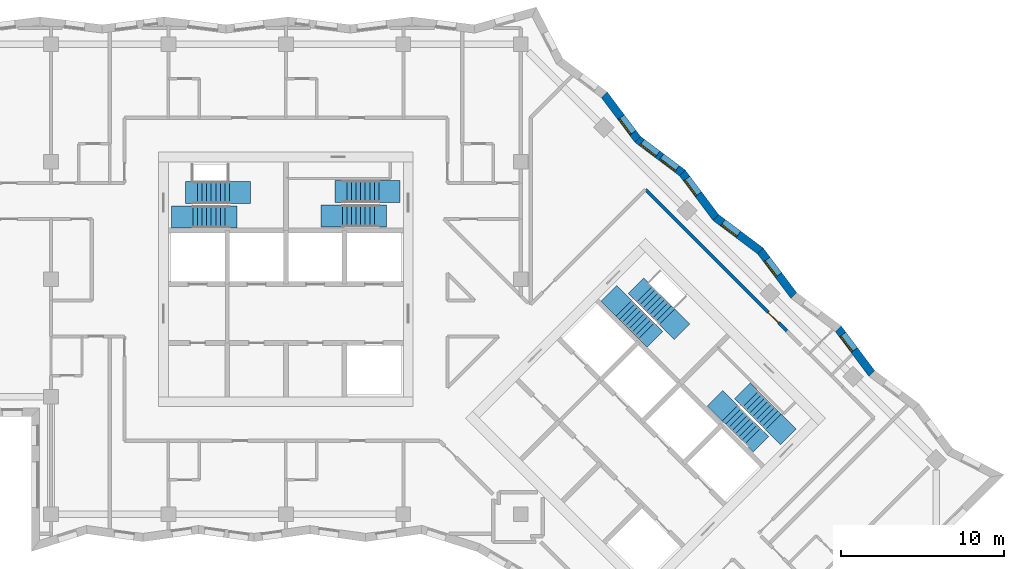
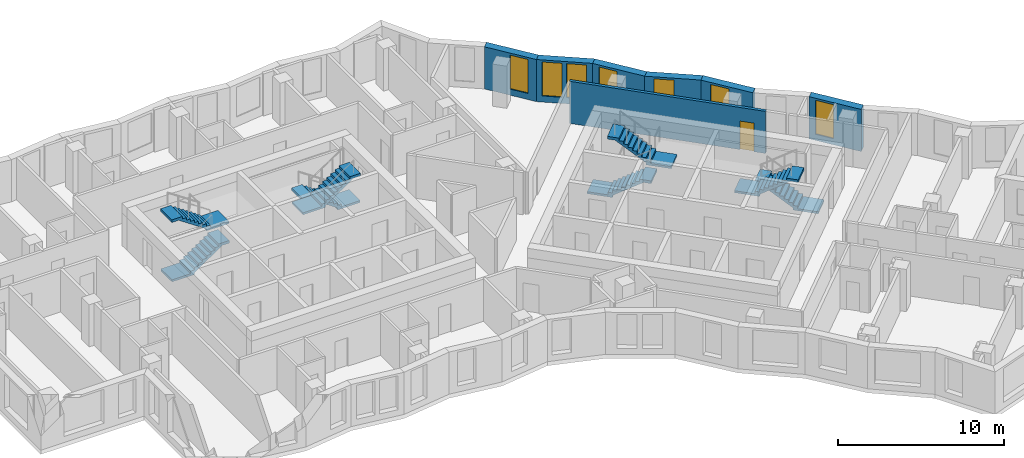
# One storey, part 10 of 12: 8 stair flights, 7 walls, 7 windows, 1 door, 8 openings, 4 elements without a shape of their own.
"""IFC4 building model written with IfcOpenShell, lengths in metres."""

from ifc_helpers import new_model, si_unit, direction, frame, frame_2d, origin, place, context, subcontext, project, spatial, polyline, rectangle, outline, extrude, material, layer, layer_set, type_object, element, fill, aggregate, save


model = new_model("IFC4")

# Units and contexts
model_context = context("Model", 3, precision=1e-05, world=origin(), true_north=direction((0.0, 1.0)))
body_context = subcontext(model_context, "Body", "Model", "MODEL_VIEW")
ifc_project = project(units=[si_unit("LENGTHUNIT", "METRE"), si_unit("AREAUNIT", "SQUARE_METRE"), si_unit("VOLUMEUNIT", "CUBIC_METRE"), si_unit("PLANEANGLEUNIT", "RADIAN"), si_unit("MASSUNIT", "GRAM", prefix="KILO")], contexts=[model_context])

# Site, building, storey
site_placement = place(None, origin())
site = spatial("IfcSite", under=ifc_project, at=site_placement, CompositionType="ELEMENT")
building_placement = place(site_placement, origin())
building = spatial("IfcBuilding", under=site, at=building_placement, Name="Windrow Commons", CompositionType="ELEMENT")
storey_placement = place(building_placement, frame((0.0, 0.0, 155.8)))
storey = spatial("IfcBuildingStorey", under=building, at=storey_placement, Name="L42", CompositionType="ELEMENT", Elevation=155.8)

# Wall, opening, window
ifc_material_1 = material(Name="Brick masonry, red clay brick", Category="masonry")
ifc_layer_1 = layer(ifc_material_1, 0.5)
ifc_layer_set_1 = layer_set([ifc_layer_1], Name="Brick facade wall 500")
wall_type_1 = type_object("IfcWallType", Name="Brick facade wall 500", PredefinedType="SOLIDWALL", material=ifc_layer_set_1)
wall_1_placement = place(storey_placement, frame((100.704, 51.836, 0.0), z_axis=(0.0, 0.0, 1.0), x_axis=(-0.600150005, 0.7998874743, 0.0)))
wall_1 = element("IfcWall", 1, at=wall_1_placement, inside=storey, type_object=wall_type_1, Name="Brick facade wall L42 10", PredefinedType="SOLIDWALL", context=body_context, shape_type="SweptSolid", body=[
    extrude(outline(polyline([(0.0357, -0.25), (3.4486, -0.25), (3.3773, 0.25), (-0.0357, 0.25), (0.0357, -0.25)])), origin(), (0.0, 0.0, 1.0), 3.1),
])
opening_1_placement = place(wall_1_placement, frame((1.7739, 0.0, 0.45)))
opening_1 = element("IfcOpeningElement", 2, at=opening_1_placement, cuts=wall_1, Name="Opening W7E", PredefinedType="OPENING", context=body_context, shape_type="SweptSolid", body=[
    extrude(rectangle(XDim=1.2, YDim=2.5, at=frame_2d((0.6, 1.25))), frame((0.0, 0.26, 0.0), z_axis=(0.0, -1.0, 0.0), x_axis=(1.0, 0.0, 0.0)), (0.0, 0.0, 1.0), 0.52),
])
ifc_material_2 = material(Name="Clear float glass in anodised aluminium frame", Category="aluminium")
window_type = type_object("IfcWindowType", Name="Window W7 notch 1200x2500", PartitioningType="SINGLE_PANEL", PredefinedType="WINDOW", material=ifc_material_2)
window_1_placement = place(opening_1_placement, origin())
window_1 = element("IfcWindow", 3, at=window_1_placement, inside=storey, type_object=window_type, Name="Window L42 10.1", OverallHeight=2.5, OverallWidth=1.2, PartitioningType="SINGLE_PANEL", PredefinedType="WINDOW", context=body_context, shape_type="SweptSolid", body=[
    extrude(rectangle(XDim=1.2, YDim=2.5, at=frame_2d((0.6, 1.25))), frame((0.0, 0.18, 0.0), z_axis=(0.0, -1.0, 0.0), x_axis=(1.0, 0.0, 0.0)), (0.0, 0.0, 1.0), 0.06),
])
fill(opening_1, window_1)

wall_2_placement = place(storey_placement, frame((95.9257, 56.6143, 0.0), z_axis=(0.0, 0.0, 1.0), x_axis=(-0.600150005, 0.7998874743, 0.0)))
wall_2 = element("IfcWall", 4, at=wall_2_placement, inside=storey, type_object=wall_type_1, Name="Brick facade wall L42 12", PredefinedType="SOLIDWALL", context=body_context, shape_type="SweptSolid", body=[
    extrude(outline(polyline([(0.0357, -0.25), (3.4486, -0.25), (3.3773, 0.25), (-0.0357, 0.25), (0.0357, -0.25)])), origin(), (0.0, 0.0, 1.0), 3.1),
])
opening_2_placement = place(wall_2_placement, frame((1.5474, 0.0, 0.45)))
opening_2 = element("IfcOpeningElement", 5, at=opening_2_placement, cuts=wall_2, Name="Opening W7E", PredefinedType="OPENING", context=body_context, shape_type="SweptSolid", body=[
    extrude(rectangle(XDim=1.2, YDim=2.5, at=frame_2d((0.6, 1.25))), frame((0.0, 0.26, 0.0), z_axis=(0.0, -1.0, 0.0), x_axis=(1.0, 0.0, 0.0)), (0.0, 0.0, 1.0), 0.52),
])
window_2_placement = place(opening_2_placement, origin())
window_2 = element("IfcWindow", 6, at=window_2_placement, inside=storey, type_object=window_type, Name="Window L42 12.1", OverallHeight=2.5, OverallWidth=1.2, PartitioningType="SINGLE_PANEL", PredefinedType="WINDOW", context=body_context, shape_type="SweptSolid", body=[
    extrude(rectangle(XDim=1.2, YDim=2.5, at=frame_2d((0.6, 1.25))), frame((0.0, 0.18, 0.0), z_axis=(0.0, -1.0, 0.0), x_axis=(1.0, 0.0, 0.0)), (0.0, 0.0, 1.0), 0.06),
])
fill(opening_2, window_2)

wall_3_placement = place(storey_placement, frame((93.8774, 59.3443, 0.0), z_axis=(0.0, 0.0, 1.0), x_axis=(-0.7998874743, 0.600150005, 0.0)))
wall_3 = element("IfcWall", 7, at=wall_3_placement, inside=storey, type_object=wall_type_1, Name="Brick facade wall L42 13", PredefinedType="SOLIDWALL", context=body_context, shape_type="SweptSolid", body=[
    extrude(outline(polyline([(-0.0357, -0.25), (3.3773, -0.25), (3.4486, 0.25), (0.0357, 0.25), (-0.0357, -0.25)])), origin(), (0.0, 0.0, 1.0), 3.1),
])
opening_3_placement = place(wall_3_placement, frame((1.6769, 0.0, 0.45)))
opening_3 = element("IfcOpeningElement", 8, at=opening_3_placement, cuts=wall_3, Name="Opening W7E", PredefinedType="OPENING", context=body_context, shape_type="SweptSolid", body=[
    extrude(rectangle(XDim=1.2, YDim=2.5, at=frame_2d((0.6, 1.25))), frame((0.0, 0.26, 0.0), z_axis=(0.0, -1.0, 0.0), x_axis=(1.0, 0.0, 0.0)), (0.0, 0.0, 1.0), 0.52),
])
window_3_placement = place(opening_3_placement, origin())
window_3 = element("IfcWindow", 9, at=window_3_placement, inside=storey, type_object=window_type, Name="Window L42 13.1", OverallHeight=2.5, OverallWidth=1.2, PartitioningType="SINGLE_PANEL", PredefinedType="WINDOW", context=body_context, shape_type="SweptSolid", body=[
    extrude(rectangle(XDim=1.2, YDim=2.5, at=frame_2d((0.6, 1.25))), frame((0.0, 0.18, 0.0), z_axis=(0.0, -1.0, 0.0), x_axis=(1.0, 0.0, 0.0)), (0.0, 0.0, 1.0), 0.06),
])
fill(opening_3, window_3)

wall_4_placement = place(storey_placement, frame((91.1474, 61.3926, 0.0), z_axis=(0.0, 0.0, 1.0), x_axis=(-0.600150005, 0.7998874743, 0.0)))
wall_4 = element("IfcWall", 10, at=wall_4_placement, inside=storey, type_object=wall_type_1, Name="Brick facade wall L42 14", PredefinedType="SOLIDWALL", context=body_context, shape_type="SweptSolid", body=[
    extrude(outline(polyline([(0.0357, -0.25), (3.4486, -0.25), (3.3773, 0.25), (-0.0357, 0.25), (0.0357, -0.25)])), origin(), (0.0, 0.0, 1.0), 3.1),
])
opening_4_placement = place(wall_4_placement, frame((1.7708, 0.0, 0.45)))
opening_4 = element("IfcOpeningElement", 11, at=opening_4_placement, cuts=wall_4, Name="Opening W7E", PredefinedType="OPENING", context=body_context, shape_type="SweptSolid", body=[
    extrude(rectangle(XDim=1.2, YDim=2.5, at=frame_2d((0.6, 1.25))), frame((0.0, 0.26, 0.0), z_axis=(0.0, -1.0, 0.0), x_axis=(1.0, 0.0, 0.0)), (0.0, 0.0, 1.0), 0.52),
])
window_4_placement = place(opening_4_placement, origin())
window_4 = element("IfcWindow", 12, at=window_4_placement, inside=storey, type_object=window_type, Name="Window L42 14.1", OverallHeight=2.5, OverallWidth=1.2, PartitioningType="SINGLE_PANEL", PredefinedType="WINDOW", context=body_context, shape_type="SweptSolid", body=[
    extrude(rectangle(XDim=1.2, YDim=2.5, at=frame_2d((0.6, 1.25))), frame((0.0, 0.18, 0.0), z_axis=(0.0, -1.0, 0.0), x_axis=(1.0, 0.0, 0.0)), (0.0, 0.0, 1.0), 0.06),
])
fill(opening_4, window_4)

# Wall, openings, windows
wall_5_placement = place(storey_placement, frame((89.0991, 64.1226, 0.0), z_axis=(0.0, 0.0, 1.0), x_axis=(-0.7998874743, 0.600150005, 0.0)))
wall_5 = element("IfcWall", 13, at=wall_5_placement, inside=storey, type_object=wall_type_1, Name="Brick facade wall L42 15", PredefinedType="SOLIDWALL", context=body_context, shape_type="SweptSolid", body=[
    extrude(outline(polyline([(-0.0357, -0.25), (3.3773, -0.25), (3.4486, 0.25), (0.0357, 0.25), (-0.0357, -0.25)])), origin(), (0.0, 0.0, 1.0), 3.1),
])
opening_5_placement = place(wall_5_placement, frame((0.4117, 0.0, 0.45)))
opening_5 = element("IfcOpeningElement", 14, at=opening_5_placement, cuts=wall_5, Name="Opening W7E", PredefinedType="OPENING", context=body_context, shape_type="SweptSolid", body=[
    extrude(rectangle(XDim=1.2, YDim=2.5, at=frame_2d((0.6, 1.25))), frame((0.0, 0.26, 0.0), z_axis=(0.0, -1.0, 0.0), x_axis=(1.0, 0.0, 0.0)), (0.0, 0.0, 1.0), 0.52),
])
opening_6_placement = place(wall_5_placement, frame((1.9004, 0.0, 0.45)))
opening_6 = element("IfcOpeningElement", 15, at=opening_6_placement, cuts=wall_5, Name="Opening W7E", PredefinedType="OPENING", context=body_context, shape_type="SweptSolid", body=[
    extrude(rectangle(XDim=1.2, YDim=2.5, at=frame_2d((0.6, 1.25))), frame((0.0, 0.26, 0.0), z_axis=(0.0, -1.0, 0.0), x_axis=(1.0, 0.0, 0.0)), (0.0, 0.0, 1.0), 0.52),
])
window_5_placement = place(opening_5_placement, origin())
window_5 = element("IfcWindow", 16, at=window_5_placement, inside=storey, type_object=window_type, Name="Window L42 15.1", OverallHeight=2.5, OverallWidth=1.2, PartitioningType="SINGLE_PANEL", PredefinedType="WINDOW", context=body_context, shape_type="SweptSolid", body=[
    extrude(rectangle(XDim=1.2, YDim=2.5, at=frame_2d((0.6, 1.25))), frame((0.0, 0.18, 0.0), z_axis=(0.0, -1.0, 0.0), x_axis=(1.0, 0.0, 0.0)), (0.0, 0.0, 1.0), 0.06),
])
fill(opening_5, window_5)
window_6_placement = place(opening_6_placement, origin())
window_6 = element("IfcWindow", 17, at=window_6_placement, inside=storey, type_object=window_type, Name="Window L42 15.2", OverallHeight=2.5, OverallWidth=1.2, PartitioningType="SINGLE_PANEL", PredefinedType="WINDOW", context=body_context, shape_type="SweptSolid", body=[
    extrude(rectangle(XDim=1.2, YDim=2.5, at=frame_2d((0.6, 1.25))), frame((0.0, 0.18, 0.0), z_axis=(0.0, -1.0, 0.0), x_axis=(1.0, 0.0, 0.0)), (0.0, 0.0, 1.0), 0.06),
])
fill(opening_6, window_6)

# Wall, opening, window
wall_6_placement = place(storey_placement, frame((86.3691, 66.1709, 0.0), z_axis=(0.0, 0.0, 1.0), x_axis=(-0.600150005, 0.7998874743, 0.0)))
wall_6 = element("IfcWall", 18, at=wall_6_placement, inside=storey, type_object=wall_type_1, Name="Brick facade wall L42 16", PredefinedType="SOLIDWALL", context=body_context, shape_type="SweptSolid", body=[
    extrude(outline(polyline([(0.0357, -0.25), (3.4486, -0.25), (3.3773, 0.25), (-0.0357, 0.25), (0.0357, -0.25)])), origin(), (0.0, 0.0, 1.0), 3.1),
])
opening_7_placement = place(wall_6_placement, frame((0.5056, 0.0, 0.45)))
opening_7 = element("IfcOpeningElement", 19, at=opening_7_placement, cuts=wall_6, Name="Opening W7E", PredefinedType="OPENING", context=body_context, shape_type="SweptSolid", body=[
    extrude(rectangle(XDim=1.2, YDim=2.5, at=frame_2d((0.6, 1.25))), frame((0.0, 0.26, 0.0), z_axis=(0.0, -1.0, 0.0), x_axis=(1.0, 0.0, 0.0)), (0.0, 0.0, 1.0), 0.52),
])
window_7_placement = place(opening_7_placement, origin())
window_7 = element("IfcWindow", 20, at=window_7_placement, inside=storey, type_object=window_type, Name="Window L42 16.1", OverallHeight=2.5, OverallWidth=1.2, PartitioningType="SINGLE_PANEL", PredefinedType="WINDOW", context=body_context, shape_type="SweptSolid", body=[
    extrude(rectangle(XDim=1.2, YDim=2.5, at=frame_2d((0.6, 1.25))), frame((0.0, 0.18, 0.0), z_axis=(0.0, -1.0, 0.0), x_axis=(1.0, 0.0, 0.0)), (0.0, 0.0, 1.0), 0.06),
])
fill(opening_7, window_7)

# Wall, opening, door
ifc_material_3 = material(Name="Blockwork partition", Category="masonry")
ifc_layer_2 = layer(ifc_material_3, 0.2)
ifc_layer_set_2 = layer_set([ifc_layer_2], Name="IW-CORRIDOR-200")
wall_type_2 = type_object("IfcWallType", Name="IW-CORRIDOR-200", PredefinedType="PARTITIONING", material=ifc_layer_set_2)
wall_7_placement = place(storey_placement, frame((86.8415, 63.0935, 0.0), z_axis=(0.0, 0.0, 1.0), x_axis=(0.7071067812, -0.7071067812, 0.0)))
wall_7 = element("IfcWall", 21, at=wall_7_placement, inside=storey, type_object=wall_type_2, Name="W-L42-W006", PredefinedType="PARTITIONING", context=body_context, shape_type="SweptSolid", body=[
    extrude(rectangle(XDim=12.2386, YDim=0.2, at=frame_2d((6.1193, 0.0))), origin(), (0.0, 0.0, 1.0), 3.1),
])
opening_8_placement = place(wall_7_placement, frame((10.6338, 0.0, 0.0)))
opening_8 = element("IfcOpeningElement", 22, at=opening_8_placement, cuts=wall_7, Name="Opening D109F", PredefinedType="OPENING", context=body_context, shape_type="SweptSolid", body=[
    extrude(rectangle(XDim=0.9, YDim=2.1, at=frame_2d((0.45, 1.05))), frame((0.0, 0.11, 0.0), z_axis=(0.0, -1.0, 0.0), x_axis=(1.0, 0.0, 0.0)), (0.0, 0.0, 1.0), 0.22),
])
ifc_material_4 = material(Name="Timber door leaf", Category="wood")
door_type = type_object("IfcDoorType", Name="DT-BEDROOM-900", OperationType="SINGLE_SWING_LEFT", PredefinedType="DOOR", material=ifc_material_4)
door_placement = place(opening_8_placement, origin())
door = element("IfcDoor", 23, at=door_placement, inside=storey, type_object=door_type, Name="D-L42-D044", OperationType="SINGLE_SWING_LEFT", OverallHeight=2.1, OverallWidth=0.9, PredefinedType="DOOR", context=body_context, shape_type="SweptSolid", body=[
    extrude(rectangle(XDim=0.9, YDim=2.1, at=frame_2d((0.45, 1.05))), frame((0.0, 0.025, 0.0), z_axis=(0.0, -1.0, 0.0), x_axis=(1.0, 0.0, 0.0)), (0.0, 0.0, 1.0), 0.05),
])
fill(opening_8, door)

# Stair, stair flights
ifc_material_5 = material(Name="Concrete C40/50", Category="concrete")
stair_type = type_object("IfcStairType", Name="Core stair", PredefinedType="HALF_TURN_STAIR", material=ifc_material_5)
placement = place(storey_placement, origin())
stair_1 = element("IfcStair", 24, at=placement, inside=storey, type_object=stair_type, Name="L42 Exit stair A1 core A", PredefinedType="HALF_TURN_STAIR")
ifc_material_6 = material(Name="Concrete C40/50", Category="concrete")
stair_flight_type = type_object("IfcStairFlightType", Name="Core stair flight", PredefinedType="STRAIGHT", material=ifc_material_6)
stair_flight_1_placement = place(storey_placement, frame((59.1, 61.425, 0.0), z_axis=(0.0, 0.0, 1.0), x_axis=(1.0, 0.0, 0.0)))
stair_flight_1 = element("IfcStairFlight", 25, at=stair_flight_1_placement, type_object=stair_flight_type, Name="ST-A1 flight 1", NumberOfRisers=9, NumberOfTreads=8, PredefinedType="STRAIGHT", RiserHeight=0.188888889, TreadLength=0.28, context=body_context, shape_type="SweptSolid", body=[
    extrude(outline(polyline([(-1.3, -0.15), (-1.3, 0.0), (0.0, 0.0), (0.0, 0.1889), (0.28, 0.1889), (0.28, 0.3778), (0.56, 0.3778), (0.56, 0.5667), (0.84, 0.5667), (0.84, 0.7556), (1.12, 0.7556), (1.12, 0.9444), (1.4, 0.9444), (1.4, 1.1333), (1.68, 1.1333), (1.68, 1.3222), (1.96, 1.3222), (1.96, 1.5111), (2.24, 1.5111), (2.69, 1.5111), (2.69, 1.3111), (2.24, 1.3111), (2.24, 1.3302), (0.2682, 0.0), (0.2682, -0.15), (-1.3, -0.15)])), frame((0.0, 0.675, 0.0), z_axis=(0.0, -1.0, 0.0), x_axis=(1.0, 0.0, 0.0)), (0.0, 0.0, 1.0), 1.35),
])
stair_flight_2_placement = place(storey_placement, frame((61.34, 62.925, 1.7), z_axis=(0.0, 0.0, 1.0), x_axis=(-1.0, 0.0, 0.0)))
stair_flight_2 = element("IfcStairFlight", 26, at=stair_flight_2_placement, type_object=stair_flight_type, Name="ST-A1 flight 2", NumberOfRisers=9, NumberOfTreads=8, PredefinedType="STRAIGHT", RiserHeight=0.188888889, TreadLength=0.28, context=body_context, shape_type="SweptSolid", body=[
    extrude(outline(polyline([(-1.3, -0.15), (-1.3, 0.0), (0.0, 0.0), (0.0, 0.1889), (0.28, 0.1889), (0.28, 0.3778), (0.56, 0.3778), (0.56, 0.5667), (0.84, 0.5667), (0.84, 0.7556), (1.12, 0.7556), (1.12, 0.9444), (1.4, 0.9444), (1.4, 1.1333), (1.68, 1.1333), (1.68, 1.3222), (1.96, 1.3222), (1.96, 1.5111), (2.24, 1.5111), (2.69, 1.5111), (2.69, 1.3111), (2.24, 1.3111), (2.24, 1.3302), (0.2682, 0.0), (0.2682, -0.15), (-1.3, -0.15)])), frame((0.0, 0.675, 0.0), z_axis=(0.0, -1.0, 0.0), x_axis=(1.0, 0.0, 0.0)), (0.0, 0.0, 1.0), 1.35),
])
aggregate(stair_1, [stair_flight_1, stair_flight_2])

stair_2 = element("IfcStair", 27, at=placement, inside=storey, type_object=stair_type, Name="L42 Exit stair A2 core A", PredefinedType="HALF_TURN_STAIR")
stair_flight_3_placement = place(storey_placement, frame((70.5, 62.98, 0.0), z_axis=(0.0, 0.0, 1.0), x_axis=(-1.0, 0.0, 0.0)))
stair_flight_3 = element("IfcStairFlight", 28, at=stair_flight_3_placement, type_object=stair_flight_type, Name="ST-A2 flight 1", NumberOfRisers=9, NumberOfTreads=8, PredefinedType="STRAIGHT", RiserHeight=0.188888889, TreadLength=0.28, context=body_context, shape_type="SweptSolid", body=[
    extrude(outline(polyline([(-1.3, -0.15), (-1.3, 0.0), (0.0, 0.0), (0.0, 0.1889), (0.28, 0.1889), (0.28, 0.3778), (0.56, 0.3778), (0.56, 0.5667), (0.84, 0.5667), (0.84, 0.7556), (1.12, 0.7556), (1.12, 0.9444), (1.4, 0.9444), (1.4, 1.1333), (1.68, 1.1333), (1.68, 1.3222), (1.96, 1.3222), (1.96, 1.5111), (2.24, 1.5111), (2.69, 1.5111), (2.69, 1.3111), (2.24, 1.3111), (2.24, 1.3302), (0.2682, 0.0), (0.2682, -0.15), (-1.3, -0.15)])), frame((0.0, 0.675, 0.0), z_axis=(0.0, -1.0, 0.0), x_axis=(1.0, 0.0, 0.0)), (0.0, 0.0, 1.0), 1.35),
])
stair_flight_4_placement = place(storey_placement, frame((68.26, 61.48, 1.7), z_axis=(0.0, 0.0, 1.0), x_axis=(1.0, 0.0, 0.0)))
stair_flight_4 = element("IfcStairFlight", 29, at=stair_flight_4_placement, type_object=stair_flight_type, Name="ST-A2 flight 2", NumberOfRisers=9, NumberOfTreads=8, PredefinedType="STRAIGHT", RiserHeight=0.188888889, TreadLength=0.28, context=body_context, shape_type="SweptSolid", body=[
    extrude(outline(polyline([(-1.3, -0.15), (-1.3, 0.0), (0.0, 0.0), (0.0, 0.1889), (0.28, 0.1889), (0.28, 0.3778), (0.56, 0.3778), (0.56, 0.5667), (0.84, 0.5667), (0.84, 0.7556), (1.12, 0.7556), (1.12, 0.9444), (1.4, 0.9444), (1.4, 1.1333), (1.68, 1.1333), (1.68, 1.3222), (1.96, 1.3222), (1.96, 1.5111), (2.24, 1.5111), (2.69, 1.5111), (2.69, 1.3111), (2.24, 1.3111), (2.24, 1.3302), (0.2682, 0.0), (0.2682, -0.15), (-1.3, -0.15)])), frame((0.0, 0.675, 0.0), z_axis=(0.0, -1.0, 0.0), x_axis=(1.0, 0.0, 0.0)), (0.0, 0.0, 1.0), 1.35),
])
aggregate(stair_2, [stair_flight_3, stair_flight_4])

stair_3 = element("IfcStair", 30, at=placement, inside=storey, type_object=stair_type, Name="L42 Exit stair B1 core B", PredefinedType="HALF_TURN_STAIR")
stair_flight_5_placement = place(storey_placement, frame((85.5109, 55.8249, 0.0), z_axis=(0.0, 0.0, 1.0), x_axis=(0.7071067812, -0.7071067812, 0.0)))
stair_flight_5 = element("IfcStairFlight", 31, at=stair_flight_5_placement, type_object=stair_flight_type, Name="ST-B1 flight 1", NumberOfRisers=9, NumberOfTreads=8, PredefinedType="STRAIGHT", RiserHeight=0.188888889, TreadLength=0.28, context=body_context, shape_type="SweptSolid", body=[
    extrude(outline(polyline([(-1.3, -0.15), (-1.3, 0.0), (0.0, 0.0), (0.0, 0.1889), (0.28, 0.1889), (0.28, 0.3778), (0.56, 0.3778), (0.56, 0.5667), (0.84, 0.5667), (0.84, 0.7556), (1.12, 0.7556), (1.12, 0.9444), (1.4, 0.9444), (1.4, 1.1333), (1.68, 1.1333), (1.68, 1.3222), (1.96, 1.3222), (1.96, 1.5111), (2.24, 1.5111), (2.69, 1.5111), (2.69, 1.3111), (2.24, 1.3111), (2.24, 1.3302), (0.2682, 0.0), (0.2682, -0.15), (-1.3, -0.15)])), frame((0.0, 0.675, 0.0), z_axis=(0.0, -1.0, 0.0), x_axis=(1.0, 0.0, 0.0)), (0.0, 0.0, 1.0), 1.35),
])
stair_flight_6_placement = place(storey_placement, frame((88.1555, 55.3017, 1.7), z_axis=(0.0, 0.0, 1.0), x_axis=(-0.7071067812, 0.7071067812, 0.0)))
stair_flight_6 = element("IfcStairFlight", 32, at=stair_flight_6_placement, type_object=stair_flight_type, Name="ST-B1 flight 2", NumberOfRisers=9, NumberOfTreads=8, PredefinedType="STRAIGHT", RiserHeight=0.188888889, TreadLength=0.28, context=body_context, shape_type="SweptSolid", body=[
    extrude(outline(polyline([(-1.3, -0.15), (-1.3, 0.0), (0.0, 0.0), (0.0, 0.1889), (0.28, 0.1889), (0.28, 0.3778), (0.56, 0.3778), (0.56, 0.5667), (0.84, 0.5667), (0.84, 0.7556), (1.12, 0.7556), (1.12, 0.9444), (1.4, 0.9444), (1.4, 1.1333), (1.68, 1.1333), (1.68, 1.3222), (1.96, 1.3222), (1.96, 1.5111), (2.24, 1.5111), (2.69, 1.5111), (2.69, 1.3111), (2.24, 1.3111), (2.24, 1.3302), (0.2682, 0.0), (0.2682, -0.15), (-1.3, -0.15)])), frame((0.0, 0.675, 0.0), z_axis=(0.0, -1.0, 0.0), x_axis=(1.0, 0.0, 0.0)), (0.0, 0.0, 1.0), 1.35),
])
aggregate(stair_3, [stair_flight_5, stair_flight_6])

stair_4 = element("IfcStair", 33, at=placement, inside=storey, type_object=stair_type, Name="L42 Exit stair B2 core B", PredefinedType="HALF_TURN_STAIR")
stair_flight_7_placement = place(storey_placement, frame((94.6715, 48.8635, 0.0), z_axis=(0.0, 0.0, 1.0), x_axis=(-0.7071067812, 0.7071067812, 0.0)))
stair_flight_7 = element("IfcStairFlight", 34, at=stair_flight_7_placement, type_object=stair_flight_type, Name="ST-B2 flight 1", NumberOfRisers=9, NumberOfTreads=8, PredefinedType="STRAIGHT", RiserHeight=0.188888889, TreadLength=0.28, context=body_context, shape_type="SweptSolid", body=[
    extrude(outline(polyline([(-1.3, -0.15), (-1.3, 0.0), (0.0, 0.0), (0.0, 0.1889), (0.28, 0.1889), (0.28, 0.3778), (0.56, 0.3778), (0.56, 0.5667), (0.84, 0.5667), (0.84, 0.7556), (1.12, 0.7556), (1.12, 0.9444), (1.4, 0.9444), (1.4, 1.1333), (1.68, 1.1333), (1.68, 1.3222), (1.96, 1.3222), (1.96, 1.5111), (2.24, 1.5111), (2.69, 1.5111), (2.69, 1.3111), (2.24, 1.3111), (2.24, 1.3302), (0.2682, 0.0), (0.2682, -0.15), (-1.3, -0.15)])), frame((0.0, 0.675, 0.0), z_axis=(0.0, -1.0, 0.0), x_axis=(1.0, 0.0, 0.0)), (0.0, 0.0, 1.0), 1.35),
])
stair_flight_8_placement = place(storey_placement, frame((92.0269, 49.3867, 1.7), z_axis=(0.0, 0.0, 1.0), x_axis=(0.7071067812, -0.7071067812, 0.0)))
stair_flight_8 = element("IfcStairFlight", 35, at=stair_flight_8_placement, type_object=stair_flight_type, Name="ST-B2 flight 2", NumberOfRisers=9, NumberOfTreads=8, PredefinedType="STRAIGHT", RiserHeight=0.188888889, TreadLength=0.28, context=body_context, shape_type="SweptSolid", body=[
    extrude(outline(polyline([(-1.3, -0.15), (-1.3, 0.0), (0.0, 0.0), (0.0, 0.1889), (0.28, 0.1889), (0.28, 0.3778), (0.56, 0.3778), (0.56, 0.5667), (0.84, 0.5667), (0.84, 0.7556), (1.12, 0.7556), (1.12, 0.9444), (1.4, 0.9444), (1.4, 1.1333), (1.68, 1.1333), (1.68, 1.3222), (1.96, 1.3222), (1.96, 1.5111), (2.24, 1.5111), (2.69, 1.5111), (2.69, 1.3111), (2.24, 1.3111), (2.24, 1.3302), (0.2682, 0.0), (0.2682, -0.15), (-1.3, -0.15)])), frame((0.0, 0.675, 0.0), z_axis=(0.0, -1.0, 0.0), x_axis=(1.0, 0.0, 0.0)), (0.0, 0.0, 1.0), 1.35),
])
aggregate(stair_4, [stair_flight_7, stair_flight_8])

save(model, "model.ifc")
